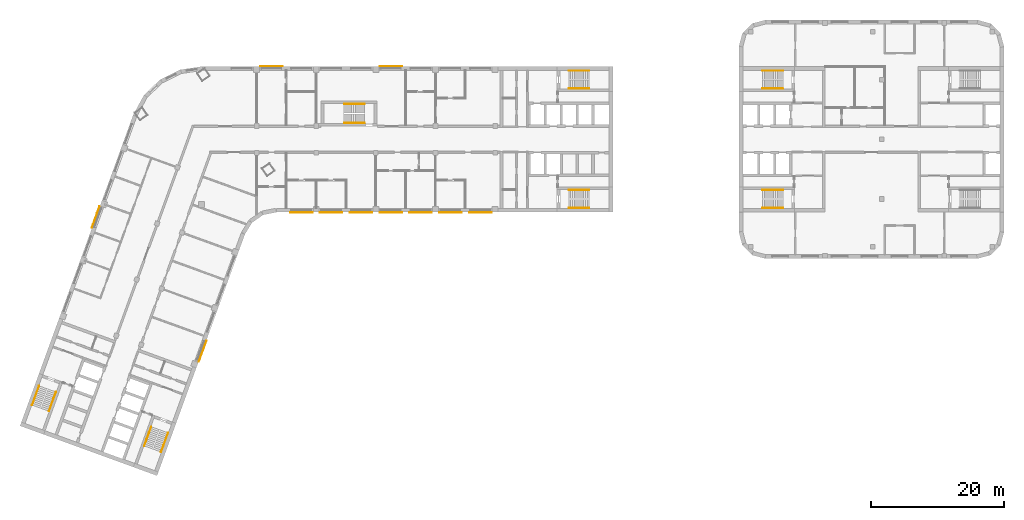
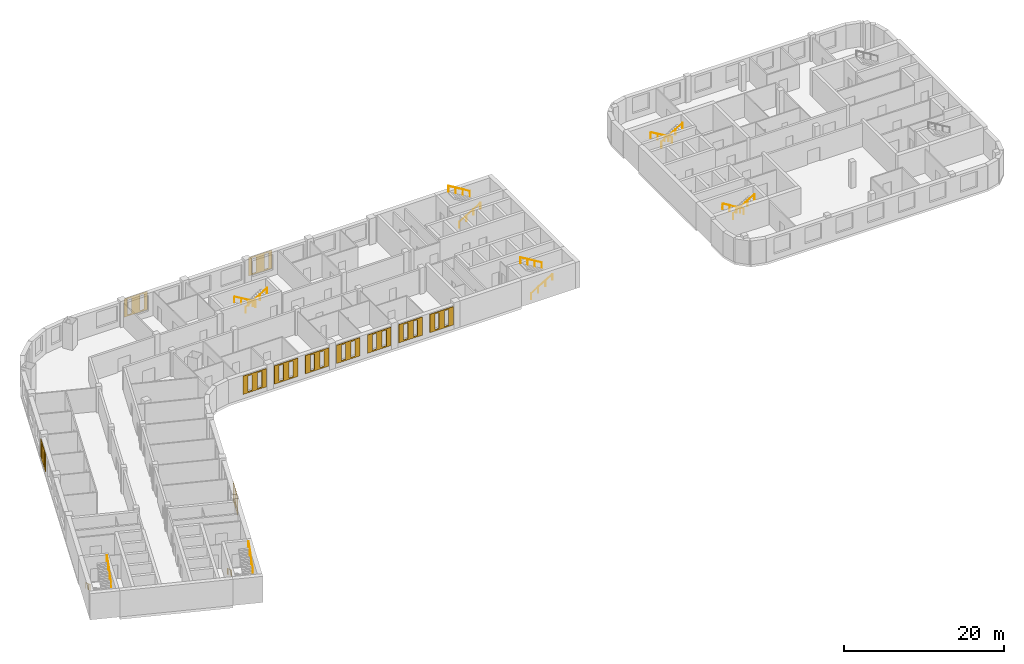
# One storey, part 11 of 12: 14 railings, 11 coverings.
"""IFC4 building model written with IfcOpenShell, lengths in metres."""

from ifc_helpers import new_model, si_unit, direction, frame, origin, origin_2d, place, context, subcontext, project, spatial, polyline, circle, outline, extrude, material, material_profile, profile_set, type_object, element, save


model = new_model("IFC4")

# Units and contexts
model_context = context("Model", 3, precision=1e-05, world=origin(), true_north=direction((0.0, 1.0)))
body_context = subcontext(model_context, "Body", "Model", "MODEL_VIEW")
ifc_project = project(units=[si_unit("LENGTHUNIT", "METRE"), si_unit("AREAUNIT", "SQUARE_METRE"), si_unit("VOLUMEUNIT", "CUBIC_METRE"), si_unit("PLANEANGLEUNIT", "RADIAN"), si_unit("MASSUNIT", "GRAM", prefix="KILO")], contexts=[model_context])

# Site, building, storey
site_placement = place(None, origin())
site = spatial("IfcSite", under=ifc_project, at=site_placement, CompositionType="ELEMENT")
building_placement = place(site_placement, origin())
building = spatial("IfcBuilding", under=site, at=building_placement, Name="Skarvind Civic Tower", CompositionType="ELEMENT")
storey_placement = place(building_placement, frame((0.0, 0.0, 63.5)))
storey = spatial("IfcBuildingStorey", under=building, at=storey_placement, Name="L14", CompositionType="ELEMENT", Elevation=63.5)

# Railings
ifc_material_1 = material(Name="Painted steel handrail", Category="steel")
railing_type = type_object("IfcRailingType", Name="Stair handrail 900", PredefinedType="HANDRAIL", material=ifc_material_1)
railing_1_placement = place(storey_placement, frame((101.35009765625, 135.64990234375, 0.166748046875)))
element("IfcRailing", 1, at=railing_1_placement, inside=storey, type_object=railing_type, Name="Stair handrail", PredefinedType="HANDRAIL", context=body_context, shape_type="SweptSolid", body=[
    extrude(circle(Radius=0.02392578125, at=origin_2d()), frame((0.0, 0.0, 0.8759765625), z_axis=(0.859290745958, 0.0, 0.51148745235), x_axis=(0.0, 1.0, 0.0)), (0.0, 0.0, 1.0), 3.584228515625),
    extrude(circle(Radius=0.02099609375, at=origin_2d()), origin(), (0.0, 0.0, 1.0), 0.851806640625),
    extrude(circle(Radius=0.02099609375, at=origin_2d()), frame((1.026611328125, 0.0, 0.611083984375)), (0.0, 0.0, 1.0), 0.851806640625),
    extrude(circle(Radius=0.02099609375, at=origin_2d()), frame((2.05322265625, 0.0, 1.22216796875)), (0.0, 0.0, 1.0), 0.851806640625),
    extrude(circle(Radius=0.02099609375, at=origin_2d()), frame((3.079833984375, 0.0, 1.833251953125)), (0.0, 0.0, 1.0), 0.851806640625),
])
railing_2_placement = place(storey_placement, frame((104.429931640625, 138.35009765625, 2.166748046875)))
element("IfcRailing", 2, at=railing_2_placement, inside=storey, type_object=railing_type, Name="Stair handrail", PredefinedType="HANDRAIL", context=body_context, shape_type="SweptSolid", body=[
    extrude(circle(Radius=0.02392578125, at=origin_2d()), frame((0.0, 0.0, 0.8759765625), z_axis=(-0.859290745958, 0.0, 0.51148745235), x_axis=(0.0, -1.0, 0.0)), (0.0, 0.0, 1.0), 3.584228515625),
    extrude(circle(Radius=0.02099609375, at=origin_2d()), origin(), (0.0, 0.0, 1.0), 0.851806640625),
    extrude(circle(Radius=0.02099609375, at=origin_2d()), frame((-1.026611328125, 0.0, 0.611083984375)), (0.0, 0.0, 1.0), 0.851806640625),
    extrude(circle(Radius=0.02099609375, at=origin_2d()), frame((-2.05322265625, 0.0, 1.22216796875)), (0.0, 0.0, 1.0), 0.851806640625),
    extrude(circle(Radius=0.02099609375, at=origin_2d()), frame((-3.079833984375, 0.0, 1.833251953125)), (0.0, 0.0, 1.0), 0.851806640625),
])
railing_3_placement = place(storey_placement, frame((101.35009765625, 117.64990234375, 0.166748046875)))
element("IfcRailing", 3, at=railing_3_placement, inside=storey, type_object=railing_type, Name="Stair handrail", PredefinedType="HANDRAIL", context=body_context, shape_type="SweptSolid", body=[
    extrude(circle(Radius=0.02392578125, at=origin_2d()), frame((0.0, 0.0, 0.8759765625), z_axis=(0.859290745958, 0.0, 0.51148745235), x_axis=(0.0, 1.0, 0.0)), (0.0, 0.0, 1.0), 3.584228515625),
    extrude(circle(Radius=0.02099609375, at=origin_2d()), origin(), (0.0, 0.0, 1.0), 0.851806640625),
    extrude(circle(Radius=0.02099609375, at=origin_2d()), frame((1.026611328125, 0.0, 0.611083984375)), (0.0, 0.0, 1.0), 0.851806640625),
    extrude(circle(Radius=0.02099609375, at=origin_2d()), frame((2.05322265625, 0.0, 1.22216796875)), (0.0, 0.0, 1.0), 0.851806640625),
    extrude(circle(Radius=0.02099609375, at=origin_2d()), frame((3.079833984375, 0.0, 1.833251953125)), (0.0, 0.0, 1.0), 0.851806640625),
])
railing_4_placement = place(storey_placement, frame((104.429931640625, 120.35009765625, 2.166748046875)))
element("IfcRailing", 4, at=railing_4_placement, inside=storey, type_object=railing_type, Name="Stair handrail", PredefinedType="HANDRAIL", context=body_context, shape_type="SweptSolid", body=[
    extrude(circle(Radius=0.02392578125, at=origin_2d()), frame((0.0, 0.0, 0.8759765625), z_axis=(-0.859290745958, 0.0, 0.51148745235), x_axis=(0.0, -1.0, 0.0)), (0.0, 0.0, 1.0), 3.584228515625),
    extrude(circle(Radius=0.02099609375, at=origin_2d()), origin(), (0.0, 0.0, 1.0), 0.851806640625),
    extrude(circle(Radius=0.02099609375, at=origin_2d()), frame((-1.026611328125, 0.0, 0.611083984375)), (0.0, 0.0, 1.0), 0.851806640625),
    extrude(circle(Radius=0.02099609375, at=origin_2d()), frame((-2.05322265625, 0.0, 1.22216796875)), (0.0, 0.0, 1.0), 0.851806640625),
    extrude(circle(Radius=0.02099609375, at=origin_2d()), frame((-3.079833984375, 0.0, 1.833251953125)), (0.0, 0.0, 1.0), 0.851806640625),
])
railing_5_placement = place(storey_placement, frame((38.362060546875, 84.64794921875, 0.166748046875)))
element("IfcRailing", 5, at=railing_5_placement, inside=storey, type_object=railing_type, Name="Stair handrail", PredefinedType="HANDRAIL", context=body_context, shape_type="SweptSolid", body=[
    extrude(circle(Radius=0.02392578125, at=origin_2d()), frame((0.0, 0.0, 0.8759765625), z_axis=(-0.293908055923, -0.807480881337, 0.511461319103), x_axis=(0.939689235759, -0.342029443467, 0.0)), (0.0, 0.0, 1.0), 3.584228515625),
    extrude(circle(Radius=0.02099609375, at=origin_2d()), origin(), (0.0, 0.0, 1.0), 0.851806640625),
    extrude(circle(Radius=0.02099609375, at=origin_2d()), frame((-0.35107421875, -0.96484375, 0.611083984375)), (0.0, 0.0, 1.0), 0.851806640625),
    extrude(circle(Radius=0.02099609375, at=origin_2d()), frame((-0.702392578125, -1.929443359375, 1.22216796875)), (0.0, 0.0, 1.0), 0.851806640625),
    extrude(circle(Radius=0.02099609375, at=origin_2d()), frame((-1.053466796875, -2.894287109375, 1.833251953125)), (0.0, 0.0, 1.0), 0.851806640625),
])
railing_6_placement = place(storey_placement, frame((39.845703125, 80.830078125, 2.166748046875)))
element("IfcRailing", 6, at=railing_6_placement, inside=storey, type_object=railing_type, Name="Stair handrail", PredefinedType="HANDRAIL", context=body_context, shape_type="SweptSolid", body=[
    extrude(circle(Radius=0.02392578125, at=origin_2d()), frame((0.0, 0.0, 0.8759765625), z_axis=(0.293908055923, 0.807480881337, 0.511461319103), x_axis=(-0.939689235759, 0.342029443467, 0.0)), (0.0, 0.0, 1.0), 3.584228515625),
    extrude(circle(Radius=0.02099609375, at=origin_2d()), origin(), (0.0, 0.0, 1.0), 0.851806640625),
    extrude(circle(Radius=0.02099609375, at=origin_2d()), frame((0.35107421875, 0.96484375, 0.611083984375)), (0.0, 0.0, 1.0), 0.851806640625),
    extrude(circle(Radius=0.02099609375, at=origin_2d()), frame((0.702392578125, 1.929443359375, 1.22216796875)), (0.0, 0.0, 1.0), 0.851806640625),
    extrude(circle(Radius=0.02099609375, at=origin_2d()), frame((1.053466796875, 2.894287109375, 1.833251953125)), (0.0, 0.0, 1.0), 0.851806640625),
])
railing_7_placement = place(storey_placement, frame((21.447509765625, 90.80419921875, 0.166748046875)))
element("IfcRailing", 7, at=railing_7_placement, inside=storey, type_object=railing_type, Name="Stair handrail", PredefinedType="HANDRAIL", context=body_context, shape_type="SweptSolid", body=[
    extrude(circle(Radius=0.02392578125, at=origin_2d()), frame((0.0, 0.0, 0.8759765625), z_axis=(-0.293845824691, -0.807497044902, 0.511471557163), x_axis=(0.939714709796, -0.34195944817, 0.0)), (0.0, 0.0, 1.0), 3.584228515625),
    extrude(circle(Radius=0.02099609375, at=origin_2d()), origin(), (0.0, 0.0, 1.0), 0.851806640625),
    extrude(circle(Radius=0.02099609375, at=origin_2d()), frame((-0.35107421875, -0.96484375, 0.611083984375)), (0.0, 0.0, 1.0), 0.851806640625),
    extrude(circle(Radius=0.02099609375, at=origin_2d()), frame((-0.7021484375, -1.929443359375, 1.22216796875)), (0.0, 0.0, 1.0), 0.851806640625),
    extrude(circle(Radius=0.02099609375, at=origin_2d()), frame((-1.05322265625, -2.894287109375, 1.833251953125)), (0.0, 0.0, 1.0), 0.851806640625),
])
railing_8_placement = place(storey_placement, frame((22.931396484375, 86.986572265625, 2.166748046875)))
element("IfcRailing", 8, at=railing_8_placement, inside=storey, type_object=railing_type, Name="Stair handrail", PredefinedType="HANDRAIL", context=body_context, shape_type="SweptSolid", body=[
    extrude(circle(Radius=0.02392578125, at=origin_2d()), frame((0.0, 0.0, 0.8759765625), z_axis=(0.293908055923, 0.807480881337, 0.511461319103), x_axis=(-0.939689235759, 0.342029443467, 0.0)), (0.0, 0.0, 1.0), 3.584228515625),
    extrude(circle(Radius=0.02099609375, at=origin_2d()), origin(), (0.0, 0.0, 1.0), 0.851806640625),
    extrude(circle(Radius=0.02099609375, at=origin_2d()), frame((0.35107421875, 0.96484375, 0.611083984375)), (0.0, 0.0, 1.0), 0.851806640625),
    extrude(circle(Radius=0.02099609375, at=origin_2d()), frame((0.702392578125, 1.929443359375, 1.22216796875)), (0.0, 0.0, 1.0), 0.851806640625),
    extrude(circle(Radius=0.02099609375, at=origin_2d()), frame((1.053466796875, 2.894287109375, 1.833251953125)), (0.0, 0.0, 1.0), 0.851806640625),
])
railing_9_placement = place(storey_placement, frame((133.64990234375, 120.35009765625, 0.166748046875)))
element("IfcRailing", 9, at=railing_9_placement, inside=storey, type_object=railing_type, Name="Stair handrail", PredefinedType="HANDRAIL", context=body_context, shape_type="SweptSolid", body=[
    extrude(circle(Radius=0.02392578125, at=origin_2d()), frame((0.0, 0.0, 0.8759765625), z_axis=(-0.859290745958, 0.0, 0.51148745235), x_axis=(0.0, -1.0, 0.0)), (0.0, 0.0, 1.0), 3.584228515625),
    extrude(circle(Radius=0.02099609375, at=origin_2d()), origin(), (0.0, 0.0, 1.0), 0.851806640625),
    extrude(circle(Radius=0.02099609375, at=origin_2d()), frame((-1.026611328125, 0.0, 0.611083984375)), (0.0, 0.0, 1.0), 0.851806640625),
    extrude(circle(Radius=0.02099609375, at=origin_2d()), frame((-2.05322265625, 0.0, 1.22216796875)), (0.0, 0.0, 1.0), 0.851806640625),
    extrude(circle(Radius=0.02099609375, at=origin_2d()), frame((-3.079833984375, 0.0, 1.833251953125)), (0.0, 0.0, 1.0), 0.851806640625),
])
railing_10_placement = place(storey_placement, frame((130.570068359375, 117.64990234375, 2.166748046875)))
element("IfcRailing", 10, at=railing_10_placement, inside=storey, type_object=railing_type, Name="Stair handrail", PredefinedType="HANDRAIL", context=body_context, shape_type="SweptSolid", body=[
    extrude(circle(Radius=0.02392578125, at=origin_2d()), frame((0.0, 0.0, 0.8759765625), z_axis=(0.859290745958, 0.0, 0.51148745235), x_axis=(0.0, 1.0, 0.0)), (0.0, 0.0, 1.0), 3.584228515625),
    extrude(circle(Radius=0.02099609375, at=origin_2d()), origin(), (0.0, 0.0, 1.0), 0.851806640625),
    extrude(circle(Radius=0.02099609375, at=origin_2d()), frame((1.026611328125, 0.0, 0.611083984375)), (0.0, 0.0, 1.0), 0.851806640625),
    extrude(circle(Radius=0.02099609375, at=origin_2d()), frame((2.05322265625, 0.0, 1.22216796875)), (0.0, 0.0, 1.0), 0.851806640625),
    extrude(circle(Radius=0.02099609375, at=origin_2d()), frame((3.079833984375, 0.0, 1.833251953125)), (0.0, 0.0, 1.0), 0.851806640625),
])
railing_11_placement = place(storey_placement, frame((133.64990234375, 138.35009765625, 0.166748046875)))
element("IfcRailing", 11, at=railing_11_placement, inside=storey, type_object=railing_type, Name="Stair handrail", PredefinedType="HANDRAIL", context=body_context, shape_type="SweptSolid", body=[
    extrude(circle(Radius=0.02392578125, at=origin_2d()), frame((0.0, 0.0, 0.8759765625), z_axis=(-0.859290745958, 0.0, 0.51148745235), x_axis=(0.0, -1.0, 0.0)), (0.0, 0.0, 1.0), 3.584228515625),
    extrude(circle(Radius=0.02099609375, at=origin_2d()), origin(), (0.0, 0.0, 1.0), 0.851806640625),
    extrude(circle(Radius=0.02099609375, at=origin_2d()), frame((-1.026611328125, 0.0, 0.611083984375)), (0.0, 0.0, 1.0), 0.851806640625),
    extrude(circle(Radius=0.02099609375, at=origin_2d()), frame((-2.05322265625, 0.0, 1.22216796875)), (0.0, 0.0, 1.0), 0.851806640625),
    extrude(circle(Radius=0.02099609375, at=origin_2d()), frame((-3.079833984375, 0.0, 1.833251953125)), (0.0, 0.0, 1.0), 0.851806640625),
])
railing_12_placement = place(storey_placement, frame((130.570068359375, 135.64990234375, 2.166748046875)))
element("IfcRailing", 12, at=railing_12_placement, inside=storey, type_object=railing_type, Name="Stair handrail", PredefinedType="HANDRAIL", context=body_context, shape_type="SweptSolid", body=[
    extrude(circle(Radius=0.02392578125, at=origin_2d()), frame((0.0, 0.0, 0.8759765625), z_axis=(0.859290745958, 0.0, 0.51148745235), x_axis=(0.0, 1.0, 0.0)), (0.0, 0.0, 1.0), 3.584228515625),
    extrude(circle(Radius=0.02099609375, at=origin_2d()), origin(), (0.0, 0.0, 1.0), 0.851806640625),
    extrude(circle(Radius=0.02099609375, at=origin_2d()), frame((1.026611328125, 0.0, 0.611083984375)), (0.0, 0.0, 1.0), 0.851806640625),
    extrude(circle(Radius=0.02099609375, at=origin_2d()), frame((2.05322265625, 0.0, 1.22216796875)), (0.0, 0.0, 1.0), 0.851806640625),
    extrude(circle(Radius=0.02099609375, at=origin_2d()), frame((3.079833984375, 0.0, 1.833251953125)), (0.0, 0.0, 1.0), 0.851806640625),
])
railing_13_placement = place(storey_placement, frame((70.550048828125, 133.35009765625, 0.166748046875)))
element("IfcRailing", 13, at=railing_13_placement, inside=storey, type_object=railing_type, Name="Stair handrail", PredefinedType="HANDRAIL", context=body_context, shape_type="SweptSolid", body=[
    extrude(circle(Radius=0.02392578125, at=origin_2d()), frame((0.0, 0.0, 0.8759765625), z_axis=(-0.859308565015, 0.0, 0.511457515432), x_axis=(0.0, -1.0, 0.0)), (0.0, 0.0, 1.0), 3.58447265625),
    extrude(circle(Radius=0.02099609375, at=origin_2d()), origin(), (0.0, 0.0, 1.0), 0.851806640625),
    extrude(circle(Radius=0.02099609375, at=origin_2d()), frame((-1.026611328125, 0.0, 0.611083984375)), (0.0, 0.0, 1.0), 0.851806640625),
    extrude(circle(Radius=0.02099609375, at=origin_2d()), frame((-2.053466796875, 0.0, 1.22216796875)), (0.0, 0.0, 1.0), 0.851806640625),
    extrude(circle(Radius=0.02099609375, at=origin_2d()), frame((-3.080078125, 0.0, 1.833251953125)), (0.0, 0.0, 1.0), 0.851806640625),
])
railing_14_placement = place(storey_placement, frame((67.469970703125, 130.449951171875, 2.166748046875)))
element("IfcRailing", 14, at=railing_14_placement, inside=storey, type_object=railing_type, Name="Stair handrail", PredefinedType="HANDRAIL", context=body_context, shape_type="SweptSolid", body=[
    extrude(circle(Radius=0.02392578125, at=origin_2d()), frame((0.0, 0.0, 0.8759765625), z_axis=(0.859308565015, 0.0, 0.511457515432), x_axis=(0.0, 1.0, 0.0)), (0.0, 0.0, 1.0), 3.58447265625),
    extrude(circle(Radius=0.02099609375, at=origin_2d()), origin(), (0.0, 0.0, 1.0), 0.851806640625),
    extrude(circle(Radius=0.02099609375, at=origin_2d()), frame((1.026611328125, 0.0, 0.611083984375)), (0.0, 0.0, 1.0), 0.851806640625),
    extrude(circle(Radius=0.02099609375, at=origin_2d()), frame((2.053466796875, 0.0, 1.22216796875)), (0.0, 0.0, 1.0), 0.851806640625),
    extrude(circle(Radius=0.02099609375, at=origin_2d()), frame((3.080078125, 0.0, 1.833251953125)), (0.0, 0.0, 1.0), 0.851806640625),
])

# Coverings
ifc_material_2 = material(Name="Terracotta", Category="masonry")
ifc_material_profile_1 = material_profile(ifc_material_2, outline(polyline([(-1.699951171875, -1.39990234375), (1.699951171875, -1.39990234375), (1.699951171875, 1.39990234375), (-1.699951171875, 1.39990234375), (-1.699951171875, -1.39990234375)]), holes=[polyline([(-1.0, -1.18994140625), (-0.39990234375, -1.18994140625), (-0.39990234375, 1.18994140625), (-1.0, 1.18994140625), (-1.0, -1.18994140625)]), polyline([(0.39990234375, -1.18994140625), (1.0, -1.18994140625), (1.0, 1.18994140625), (0.39990234375, 1.18994140625), (0.39990234375, -1.18994140625)])]), Name="TERRACOTTA SCREEN 3400 x 2800, SLIT PITCH 1400")
ifc_profile_set_1 = profile_set([ifc_material_profile_1], Name="Terracotta")
covering_type_1 = type_object("IfcCoveringType", Name="TERRACOTTA SCREEN 3400 x 2800, SLIT PITCH 1400", PredefinedType="CLADDING", material=ifc_profile_set_1)
for number, where, z_axis, x_axis, name in (
    (15, (88.0, 117.0, 2.10009765625), (0.0, -1.0, 0.0), (1.0, 0.0, 0.0), "TERRACOTTA SCREEN"),
    (16, (83.5, 117.0, 2.10009765625), (0.0, -1.0, 0.0), (1.0, 0.0, 0.0), "TERRACOTTA SCREEN"),
    (17, (79.0, 117.0, 2.10009765625), (0.0, -1.0, 0.0), (1.0, 0.0, 0.0), "TERRACOTTA SCREEN"),
    (18, (74.5, 117.0, 2.10009765625), (0.0, -1.0, 0.0), (1.0, 0.0, 0.0), "TERRACOTTA SCREEN"),
    (19, (70.0, 117.0, 2.10009765625), (0.0, -1.0, 0.0), (1.0, 0.0, 0.0), "TERRACOTTA SCREEN"),
    (20, (65.5, 117.0, 2.10009765625), (0.0, -1.0, 0.0), (1.0, 0.0, 0.0), "TERRACOTTA SCREEN"),
    (21, (61.0, 117.0, 2.10009765625), (0.0, -1.0, 0.0), (1.0, 0.0, 0.0), "TERRACOTTA SCREEN"),
):
    element("IfcCovering", number, at=place(storey_placement, frame(where, z_axis=z_axis, x_axis=x_axis)), inside=storey, type_object=covering_type_1, Name=name, PredefinedType="CLADDING", context=body_context, shape_type="SweptSolid", body=[
        extrude(outline(polyline([(-1.699951171875, -1.39990234375), (1.699951171875, -1.39990234375), (1.699951171875, 1.39990234375), (-1.699951171875, 1.39990234375), (-1.699951171875, -1.39990234375)]), holes=[polyline([(-1.0, -1.18994140625), (-0.39990234375, -1.18994140625), (-0.39990234375, 1.18994140625), (-1.0, 1.18994140625), (-1.0, -1.18994140625)]), polyline([(0.39990234375, -1.18994140625), (1.0, -1.18994140625), (1.0, 1.18994140625), (0.39990234375, 1.18994140625), (0.39990234375, -1.18994140625)])]), origin(), (0.0, 0.0, 1.0), 0.06005859375),
    ])
ifc_material_profile_2 = material_profile(ifc_material_2, outline(polyline([(-1.699951171875, -1.39990234375), (1.699951171875, -1.39990234375), (1.699951171875, 1.39990234375), (-1.699951171875, 1.39990234375), (-1.699951171875, -1.39990234375)]), holes=[polyline([(-1.199951171875, -1.18994140625), (-0.60009765625, -1.18994140625), (-0.60009765625, 1.18994140625), (-1.199951171875, 1.18994140625), (-1.199951171875, -1.18994140625)]), polyline([(0.60009765625, -1.18994140625), (1.199951171875, -1.18994140625), (1.199951171875, 1.18994140625), (0.60009765625, 1.18994140625), (0.60009765625, -1.18994140625)])]), Name="TERRACOTTA SCREEN 3400 x 2800, SLIT PITCH 1800")
ifc_profile_set_2 = profile_set([ifc_material_profile_2], Name="Terracotta")
covering_type_2 = type_object("IfcCoveringType", Name="TERRACOTTA SCREEN 3400 x 2800, SLIT PITCH 1800", PredefinedType="CLADDING", material=ifc_profile_set_2)
for number, where, z_axis, x_axis, name in (
    (22, (46.075927734375, 96.047119140625, 2.10009765625), (0.939793423488, -0.341743063087, 0.0), (0.341743063087, 0.939793423488, 0.0), "TERRACOTTA SCREEN"),
    (23, (56.5, 139.0, 2.10009765625), (0.0, 1.0, 0.0), (-1.0, 0.0, 0.0), "TERRACOTTA SCREEN"),
    (24, (74.5, 139.0, 2.10009765625), (0.0, 1.0, 0.0), (-1.0, 0.0, 0.0), "TERRACOTTA SCREEN"),
    (25, (30.02001953125, 116.25732421875, 2.10009765625), (-0.939793423488, 0.341743063087, 0.0), (-0.341743063087, -0.939793423488, 0.0), "TERRACOTTA SCREEN"),
):
    element("IfcCovering", number, at=place(storey_placement, frame(where, z_axis=z_axis, x_axis=x_axis)), inside=storey, type_object=covering_type_2, Name=name, PredefinedType="CLADDING", context=body_context, shape_type="SweptSolid", body=[
        extrude(outline(polyline([(-1.699951171875, -1.39990234375), (1.699951171875, -1.39990234375), (1.699951171875, 1.39990234375), (-1.699951171875, 1.39990234375), (-1.699951171875, -1.39990234375)]), holes=[polyline([(-1.199951171875, -1.18994140625), (-0.60009765625, -1.18994140625), (-0.60009765625, 1.18994140625), (-1.199951171875, 1.18994140625), (-1.199951171875, -1.18994140625)]), polyline([(0.60009765625, -1.18994140625), (1.199951171875, -1.18994140625), (1.199951171875, 1.18994140625), (0.60009765625, 1.18994140625), (0.60009765625, -1.18994140625)])]), origin(), (0.0, 0.0, 1.0), 0.06005859375),
    ])

save(model, "model.ifc")
